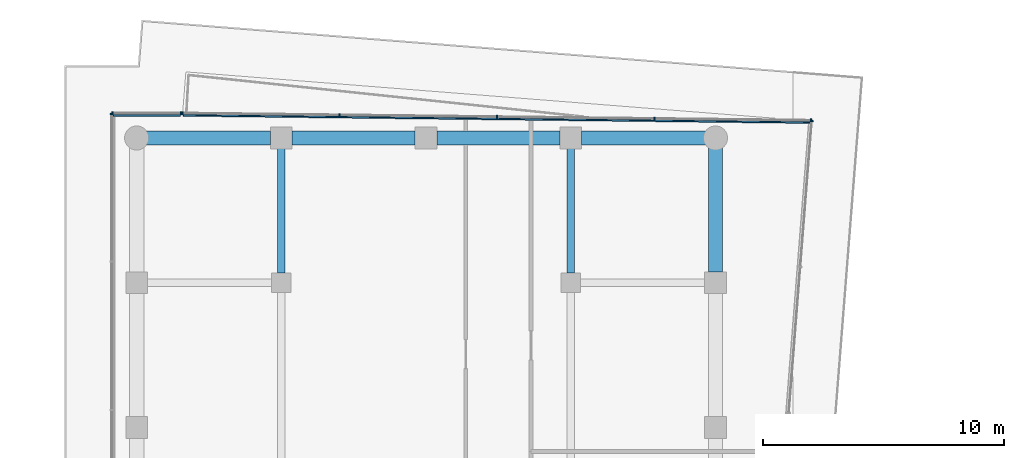
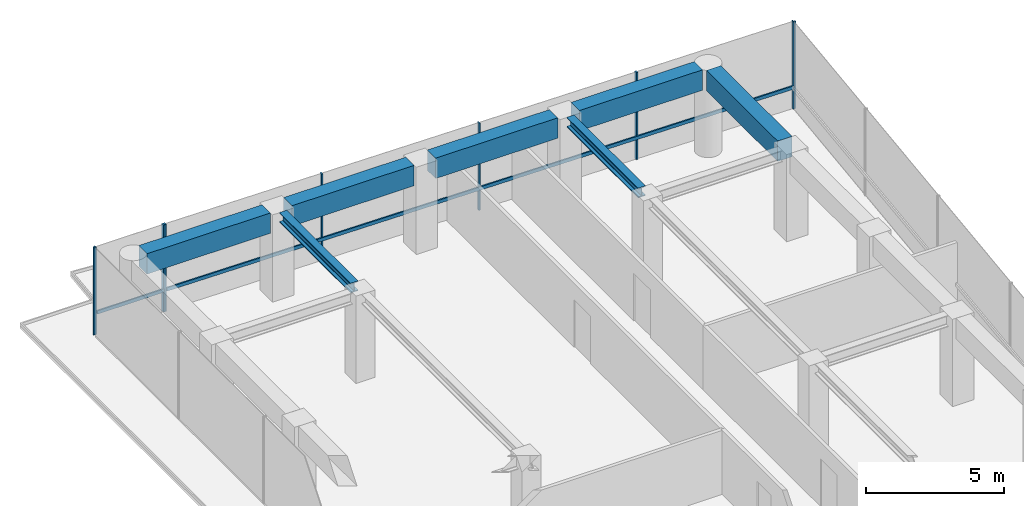
# One storey, part 18 of 24: 11 members, 7 beams, 4 elements without a shape of their own.
"""IFC4 building model written with IfcOpenShell, lengths in metres."""

from ifc_helpers import new_model, si_unit, direction, frame, origin, origin_2d, place, context, subcontext, project, spatial, rectangle, i_section, extrude, material, layer, layer_set, material_profile, profile_set, type_object, element, aggregate, save


model = new_model("IFC4")

# Units and contexts
model_context = context("Model", 3, precision=1e-05, world=origin(), true_north=direction((0.0, 1.0)))
body_context = subcontext(model_context, "Body", "Model", "MODEL_VIEW")
ifc_project = project(units=[si_unit("LENGTHUNIT", "METRE"), si_unit("AREAUNIT", "SQUARE_METRE"), si_unit("VOLUMEUNIT", "CUBIC_METRE"), si_unit("PLANEANGLEUNIT", "RADIAN"), si_unit("MASSUNIT", "GRAM", prefix="KILO")], contexts=[model_context])

# Site, building, storey
site_placement = place(None, origin())
site = spatial("IfcSite", under=ifc_project, at=site_placement, CompositionType="ELEMENT")
building_placement = place(site_placement, origin())
building = spatial("IfcBuilding", under=site, at=building_placement, Name="Welwitschia Terrace Campus", CompositionType="ELEMENT")
storey_placement = place(building_placement, frame((0.0, 0.0, 129.800048828125)))
storey = spatial("IfcBuildingStorey", under=building, at=storey_placement, Name="L29", CompositionType="ELEMENT", Elevation=129.800048828125)

# Beams
ifc_material_1 = material(Name="Steel S355", Category="steel")
ifc_material_profile_1 = material_profile(ifc_material_1, i_section(OverallWidth=0.306884765625, OverallDepth=0.431884765625, WebThickness=0.02099609375, FlangeThickness=0.0400390625, FilletRadius=0.027099609375, at=origin_2d()))
ifc_profile_set_1 = profile_set([ifc_material_profile_1], Name="Steel S355")
beam_type_1 = type_object("IfcBeamType", Name="Interior girder HE 400 M", PredefinedType="BEAM", material=ifc_profile_set_1)
for number, where, z_axis, x_axis, name in (
    (1, (6.0, 64.400390625, 3.634033203125), (0.0, 1.0, 0.0), (-1.0, 0.0, 0.0), "Girder GB3"),
    (2, (18.0, 64.400390625, 3.634033203125), (0.0, 1.0, 0.0), (-1.0, 0.0, 0.0), "Girder GB3"),
):
    element("IfcBeam", number, at=place(storey_placement, frame(where, z_axis=z_axis, x_axis=x_axis)), inside=storey, type_object=beam_type_1, Name=name, PredefinedType="BEAM", context=body_context, shape_type="SweptSolid", body=[
        extrude(i_section(OverallWidth=0.306884765625, OverallDepth=0.431884765625, WebThickness=0.02099609375, FlangeThickness=0.0400390625, FilletRadius=0.027099609375, at=origin_2d()), origin(), (0.0, 0.0, 1.0), 5.1591796875),
    ])

# Curtain wall, member
ifc_material_2 = material(Name="Bronze anodised aluminium", Category="aluminium")
ifc_layer = layer(ifc_material_2, 0.1201171875)
ifc_layer_set = layer_set([ifc_layer], Name="Bronze anodised aluminium")
curtain_wall_type = type_object("IfcCurtainWallType", Name="Curtain wall CW2 tower 6000", PredefinedType="NOTDEFINED", material=ifc_layer_set)
curtain_wall_1_placement = place(storey_placement, origin())
curtain_wall_1 = element("IfcCurtainWall", 3, at=curtain_wall_1_placement, inside=storey, type_object=curtain_wall_type, Name="CW L29.10.0", PredefinedType="NOTDEFINED")
ifc_material_3 = material(Name="Bronze anodised aluminium", Category="aluminium")
ifc_material_profile_2 = material_profile(ifc_material_3, rectangle(XDim=0.1201171875, YDim=0.06005859375, at=origin_2d()))
ifc_profile_set_2 = profile_set([ifc_material_profile_2], Name="Bronze anodised aluminium")
member_type_1 = type_object("IfcMemberType", Name="Mullion 60x120", PredefinedType="MULLION", material=ifc_profile_set_2)
member_1_placement = place(storey_placement, frame((27.989990234375, 70.698974609375, 0.0), z_axis=(0.0, 0.0, 1.0), x_axis=(-0.996917333733, 0.078459095728, 0.0)))
member_1 = element("IfcMember", 4, at=member_1_placement, type_object=member_type_1, Name="Mullion L29.10.0.6", PredefinedType="MULLION", context=body_context, shape_type="SweptSolid", body=[
    extrude(rectangle(XDim=0.1201171875, YDim=0.06005859375, at=origin_2d()), origin(), (0.0, 0.0, 1.0), 3.849853515625),
])
aggregate(curtain_wall_1, [member_1])

# Curtain wall, members
curtain_wall_2_placement = place(storey_placement, origin())
curtain_wall_2 = element("IfcCurtainWall", 5, at=curtain_wall_2_placement, inside=storey, type_object=curtain_wall_type, Name="CW L29.11.0", PredefinedType="NOTDEFINED")
member_2_placement = place(storey_placement, frame((27.96240234375, 70.729248046875, 0.0), z_axis=(0.0, 0.0, 1.0), x_axis=(-0.011529839669, -0.999933529189, 0.0)))
member_2 = element("IfcMember", 6, at=member_2_placement, type_object=member_type_1, Name="Mullion L29.11.0.0", PredefinedType="MULLION", context=body_context, shape_type="SweptSolid", body=[
    extrude(rectangle(XDim=0.1201171875, YDim=0.06005859375, at=origin_2d()), origin(), (0.0, 0.0, 1.0), 3.849853515625),
])
member_3_placement = place(storey_placement, frame((21.463134765625, 70.80419921875, 0.0), z_axis=(0.0, 0.0, 1.0), x_axis=(-0.011529839669, -0.999933529189, 0.0)))
member_3 = element("IfcMember", 7, at=member_3_placement, type_object=member_type_1, Name="Mullion L29.11.0.1", PredefinedType="MULLION", context=body_context, shape_type="SweptSolid", body=[
    extrude(rectangle(XDim=0.1201171875, YDim=0.06005859375, at=origin_2d()), origin(), (0.0, 0.0, 1.0), 3.849853515625),
])
member_4_placement = place(storey_placement, frame((14.93408203125, 70.87939453125, 0.0), z_axis=(0.0, 0.0, 1.0), x_axis=(-0.011529839669, -0.999933529189, 0.0)))
member_4 = element("IfcMember", 8, at=member_4_placement, type_object=member_type_1, Name="Mullion L29.11.0.2", PredefinedType="MULLION", context=body_context, shape_type="SweptSolid", body=[
    extrude(rectangle(XDim=0.1201171875, YDim=0.06005859375, at=origin_2d()), origin(), (0.0, 0.0, 1.0), 3.849853515625),
])
member_5_placement = place(storey_placement, frame((8.40478515625, 70.954833984375, 0.0), z_axis=(0.0, 0.0, 1.0), x_axis=(-0.011529839669, -0.999933529189, 0.0)))
member_5 = element("IfcMember", 9, at=member_5_placement, type_object=member_type_1, Name="Mullion L29.11.0.3", PredefinedType="MULLION", context=body_context, shape_type="SweptSolid", body=[
    extrude(rectangle(XDim=0.1201171875, YDim=0.06005859375, at=origin_2d()), origin(), (0.0, 0.0, 1.0), 3.849853515625),
])
member_6_placement = place(storey_placement, frame((1.905517578125, 71.029541015625, 0.0), z_axis=(0.0, 0.0, 1.0), x_axis=(-0.011529839669, -0.999933529189, 0.0)))
member_6 = element("IfcMember", 10, at=member_6_placement, type_object=member_type_1, Name="Mullion L29.11.0.4", PredefinedType="MULLION", context=body_context, shape_type="SweptSolid", body=[
    extrude(rectangle(XDim=0.1201171875, YDim=0.06005859375, at=origin_2d()), origin(), (0.0, 0.0, 1.0), 3.849853515625),
])

curtain_wall_3_placement = place(storey_placement, origin())
curtain_wall_3 = element("IfcCurtainWall", 11, at=curtain_wall_3_placement, inside=storey, type_object=curtain_wall_type, Name="CW L29.12.0", PredefinedType="NOTDEFINED")
member_7_placement = place(storey_placement, frame((1.845458984375, 71.030029296875, 0.0), z_axis=(0.0, 0.0, 1.0), x_axis=(0.0, -1.0, 0.0)))
member_7 = element("IfcMember", 12, at=member_7_placement, type_object=member_type_1, Name="Mullion L29.12.0.0", PredefinedType="MULLION", context=body_context, shape_type="SweptSolid", body=[
    extrude(rectangle(XDim=0.1201171875, YDim=0.06005859375, at=origin_2d()), origin(), (0.0, 0.0, 1.0), 3.849853515625),
])
member_8_placement = place(storey_placement, frame((-1.0, 71.030029296875, 0.0), z_axis=(0.0, 0.0, 1.0), x_axis=(0.0, -1.0, 0.0)))
member_8 = element("IfcMember", 13, at=member_8_placement, type_object=member_type_1, Name="Mullion L29.12.0.1", PredefinedType="MULLION", context=body_context, shape_type="SweptSolid", body=[
    extrude(rectangle(XDim=0.1201171875, YDim=0.06005859375, at=origin_2d()), origin(), (0.0, 0.0, 1.0), 3.849853515625),
])

# Curtain wall, member
curtain_wall_4_placement = place(storey_placement, origin())
curtain_wall_4 = element("IfcCurtainWall", 14, at=curtain_wall_4_placement, inside=storey, type_object=curtain_wall_type, Name="CW L29.13.0", PredefinedType="NOTDEFINED")
member_9_placement = place(storey_placement, frame((-1.030029296875, 71.0, 0.0), z_axis=(0.0, 0.0, 1.0), x_axis=(1.0, 0.0, 0.0)))
member_9 = element("IfcMember", 15, at=member_9_placement, type_object=member_type_1, Name="Mullion L29.13.0.0", PredefinedType="MULLION", context=body_context, shape_type="SweptSolid", body=[
    extrude(rectangle(XDim=0.1201171875, YDim=0.06005859375, at=origin_2d()), origin(), (0.0, 0.0, 1.0), 3.849853515625),
])
aggregate(curtain_wall_4, [member_9])

# Beams
ifc_material_4 = material(Name="Concrete C60/75", Category="concrete")
ifc_material_profile_3 = material_profile(ifc_material_4, rectangle(XDim=0.60009765625, YDim=0.89990234375, at=origin_2d()))
ifc_profile_set_3 = profile_set([ifc_material_profile_3], Name="Concrete C60/75")
beam_type_2 = type_object("IfcBeamType", Name="Ring spandrel 600x900", PredefinedType="SPANDREL", material=ifc_profile_set_3)
for number, where, z_axis, x_axis, name in (
    (16, (24.0, 64.450439453125, 3.39990234375), (0.0, 1.0, 0.0), (-1.0, 0.0, 0.0), "Spandrel SP2"),
    (17, (23.599609375, 70.0, 3.39990234375), (-1.0, 0.0, 0.0), (0.0, -1.0, 0.0), "Spandrel SP2"),
):
    element("IfcBeam", number, at=place(storey_placement, frame(where, z_axis=z_axis, x_axis=x_axis)), inside=storey, type_object=beam_type_2, Name=name, PredefinedType="SPANDREL", context=body_context, shape_type="SweptSolid", body=[
        extrude(rectangle(XDim=0.60009765625, YDim=0.89990234375, at=origin_2d()), origin(), (0.0, 0.0, 1.0), 5.149169921875),
    ])
for number, where, z_axis, x_axis, name in (
    (18, (17.549560546875, 70.0, 3.39990234375), (-1.0, 0.0, 0.0), (0.0, -1.0, 0.0), "Spandrel SP2"),
    (19, (11.549560546875, 70.0, 3.39990234375), (-1.0, 0.0, 0.0), (0.0, -1.0, 0.0), "Spandrel SP2"),
):
    element("IfcBeam", number, at=place(storey_placement, frame(where, z_axis=z_axis, x_axis=x_axis)), inside=storey, type_object=beam_type_2, Name=name, PredefinedType="SPANDREL", context=body_context, shape_type="SweptSolid", body=[
        extrude(rectangle(XDim=0.60009765625, YDim=0.89990234375, at=origin_2d()), origin(), (0.0, 0.0, 1.0), 5.09912109375),
    ])
beam_placement = place(storey_placement, frame((5.549560546875, 70.0, 3.39990234375), z_axis=(-1.0, 0.0, 0.0), x_axis=(0.0, -1.0, 0.0)))
element("IfcBeam", 20, at=beam_placement, inside=storey, type_object=beam_type_2, Name="Spandrel SP2", PredefinedType="SPANDREL", context=body_context, shape_type="SweptSolid", body=[
    extrude(rectangle(XDim=0.60009765625, YDim=0.89990234375, at=origin_2d()), origin(), (0.0, 0.0, 1.0), 5.149169921875),
])

# Member
ifc_material_5 = material(Name="Bronze anodised aluminium", Category="aluminium")
ifc_material_profile_4 = material_profile(ifc_material_5, rectangle(XDim=0.06005859375, YDim=0.14990234375, at=origin_2d()))
ifc_profile_set_4 = profile_set([ifc_material_profile_4], Name="Bronze anodised aluminium")
member_type_2 = type_object("IfcMemberType", Name="Transom 60x150", PredefinedType="USERDEFINED", material=ifc_profile_set_4)
member_10_placement = place(storey_placement, frame((27.931396484375, 70.6396484375, 1.0), z_axis=(-0.999933617237, 0.011522201181, 0.0), x_axis=(-0.011522201181, -0.999933617237, 0.0)))
member_10 = element("IfcMember", 21, at=member_10_placement, type_object=member_type_2, Name="Transom L29.11.0", ObjectType="TRANSOM", PredefinedType="USERDEFINED", context=body_context, shape_type="SweptSolid", body=[
    extrude(rectangle(XDim=0.06005859375, YDim=0.14990234375, at=origin_2d()), origin(), (0.0, 0.0, 1.0), 25.99853515625),
])

aggregate(curtain_wall_2, [member_2, member_3, member_4, member_5, member_6, member_10])

member_11_placement = place(storey_placement, frame((1.8154296875, 70.93994140625, 1.0), z_axis=(-1.0, 0.0, 0.0), x_axis=(0.0, -1.0, 0.0)))
member_11 = element("IfcMember", 22, at=member_11_placement, type_object=member_type_2, Name="Transom L29.12.0", ObjectType="TRANSOM", PredefinedType="USERDEFINED", context=body_context, shape_type="SweptSolid", body=[
    extrude(rectangle(XDim=0.06005859375, YDim=0.14990234375, at=origin_2d()), origin(), (0.0, 0.0, 1.0), 2.785400390625),
])

aggregate(curtain_wall_3, [member_7, member_8, member_11])

save(model, "model.ifc")
